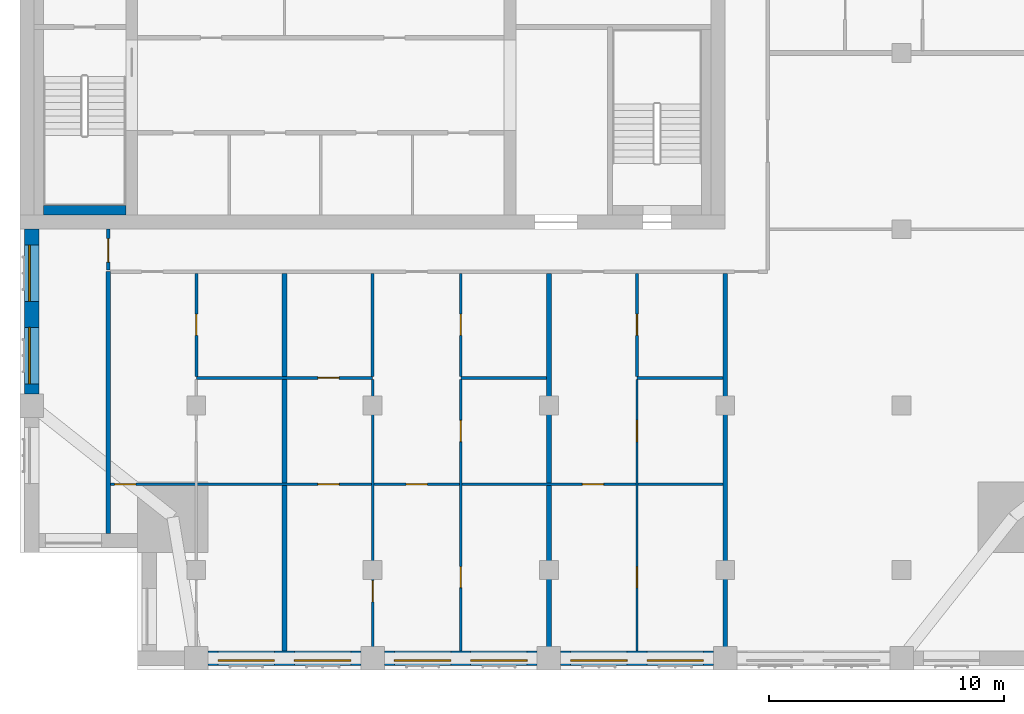
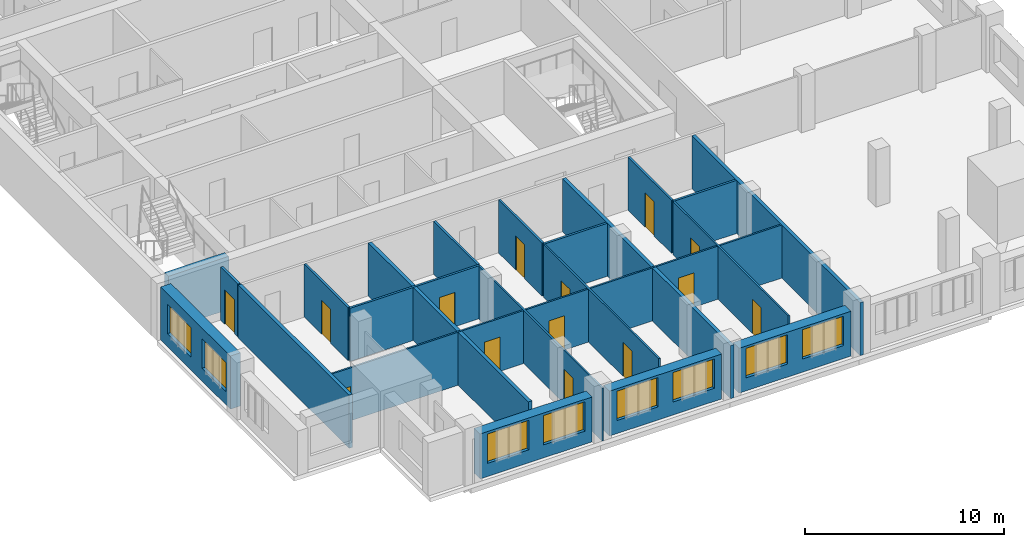
# One storey, part 3 of 11: 21 walls, 14 doors, 8 windows, 22 openings.
"""IFC4 building model written with IfcOpenShell, lengths in metres."""

from ifc_helpers import new_model, si_unit, direction, frame, frame_2d, origin, place, context, subcontext, project, spatial, rectangle, extrude, material, layer, layer_set, type_object, element, fill, save


model = new_model("IFC4")

# Units and contexts
model_context = context("Model", 3, precision=1e-05, world=origin(), true_north=direction((0.0, 1.0)))
body_context = subcontext(model_context, "Body", "Model", "MODEL_VIEW")
ifc_project = project(units=[si_unit("LENGTHUNIT", "METRE"), si_unit("AREAUNIT", "SQUARE_METRE"), si_unit("VOLUMEUNIT", "CUBIC_METRE"), si_unit("PLANEANGLEUNIT", "RADIAN"), si_unit("MASSUNIT", "GRAM", prefix="KILO")], contexts=[model_context])

# Site, building, storey
site_placement = place(None, origin())
site = spatial("IfcSite", under=ifc_project, at=site_placement, CompositionType="ELEMENT")
building_placement = place(site_placement, origin())
building = spatial("IfcBuilding", under=site, at=building_placement, Name="Tamorin Gate", CompositionType="ELEMENT")
storey_placement = place(building_placement, frame((0.0, 0.0, 230.199951171875)))
storey = spatial("IfcBuildingStorey", under=building, at=storey_placement, Name="L57", CompositionType="ELEMENT", Elevation=230.199951171875)

# Wall, openings, windows
ifc_material_1 = material(Name="Precast concrete C40/50", Category="concrete")
ifc_layer_1 = layer(ifc_material_1, 0.60009765625)
ifc_layer_set_1 = layer_set([ifc_layer_1], Name="Precast concrete C40/50")
wall_type_1 = type_object("IfcWallType", Name="Board-marked concrete facade panel 600", PredefinedType="SOLIDWALL", material=ifc_layer_set_1)
wall_1_placement = place(storey_placement, frame((38.0, 41.75, 0.0), z_axis=(0.0, 0.0, 1.0), x_axis=(1.0, 0.0, 0.0)))
wall_1 = element("IfcWall", 1, at=wall_1_placement, inside=storey, type_object=wall_type_1, Name="Facade panel", PredefinedType="SOLIDWALL", context=body_context, shape_type="SweptSolid", body=[
    extrude(rectangle(XDim=6.5, YDim=0.60009765625, at=frame_2d((3.25, 0.0))), origin(), (0.0, 0.0, 1.0), 2.75),
])
opening_1_placement = place(wall_1_placement, frame((0.425048828125, 0.0, 0.800048828125)))
opening_1 = element("IfcOpeningElement", 2, at=opening_1_placement, cuts=wall_1, Name="Opening WN1", PredefinedType="OPENING", context=body_context, shape_type="SweptSolid", body=[
    extrude(rectangle(XDim=2.39990234375, YDim=1.800048828125, at=frame_2d((1.199951171875, 0.89990234375))), frame((0.0, 0.31005859375, 0.0), z_axis=(0.0, -1.0, 0.0), x_axis=(1.0, 0.0, 0.0)), (0.0, 0.0, 1.0), 0.6201171875),
])
opening_2_placement = place(wall_1_placement, frame((3.675048828125, 0.0, 0.800048828125)))
opening_2 = element("IfcOpeningElement", 3, at=opening_2_placement, cuts=wall_1, Name="Opening WN1", PredefinedType="OPENING", context=body_context, shape_type="SweptSolid", body=[
    extrude(rectangle(XDim=2.39990234375, YDim=1.800048828125, at=frame_2d((1.199951171875, 0.89990234375))), frame((0.0, 0.31005859375, 0.0), z_axis=(0.0, -1.0, 0.0), x_axis=(1.0, 0.0, 0.0)), (0.0, 0.0, 1.0), 0.6201171875),
])
ifc_material_2 = material(Name="Clear glass in aluminium frame", Category="aluminium")
window_type = type_object("IfcWindowType", Name="Deep-set window 2400x1800", PartitioningType="SINGLE_PANEL", PredefinedType="WINDOW", material=ifc_material_2)
window_1_placement = place(opening_1_placement, origin())
window_1 = element("IfcWindow", 4, at=window_1_placement, inside=storey, type_object=window_type, Name="Deep-set window", OverallHeight=1.800048828125, OverallWidth=2.39990234375, PartitioningType="SINGLE_PANEL", PredefinedType="WINDOW", context=body_context, shape_type="SweptSolid", body=[
    extrude(rectangle(XDim=2.39990234375, YDim=1.800048828125, at=frame_2d((1.199951171875, 0.89990234375))), frame((0.0, -0.070068359375, 0.0), z_axis=(0.0, -1.0, 0.0), x_axis=(1.0, 0.0, 0.0)), (0.0, 0.0, 1.0), 0.06005859375),
])
fill(opening_1, window_1)
window_2_placement = place(opening_2_placement, origin())
window_2 = element("IfcWindow", 5, at=window_2_placement, inside=storey, type_object=window_type, Name="Deep-set window", OverallHeight=1.800048828125, OverallWidth=2.39990234375, PartitioningType="SINGLE_PANEL", PredefinedType="WINDOW", context=body_context, shape_type="SweptSolid", body=[
    extrude(rectangle(XDim=2.39990234375, YDim=1.800048828125, at=frame_2d((1.199951171875, 0.89990234375))), frame((0.0, -0.070068359375, 0.0), z_axis=(0.0, -1.0, 0.0), x_axis=(1.0, 0.0, 0.0)), (0.0, 0.0, 1.0), 0.06005859375),
])
fill(opening_2, window_2)

wall_2_placement = place(storey_placement, frame((45.5, 41.75, 0.0), z_axis=(0.0, 0.0, 1.0), x_axis=(1.0, 0.0, 0.0)))
wall_2 = element("IfcWall", 6, at=wall_2_placement, inside=storey, type_object=wall_type_1, Name="Facade panel", PredefinedType="SOLIDWALL", context=body_context, shape_type="SweptSolid", body=[
    extrude(rectangle(XDim=6.5, YDim=0.60009765625, at=frame_2d((3.25, 0.0))), origin(), (0.0, 0.0, 1.0), 2.75),
])
opening_3_placement = place(wall_2_placement, frame((0.425048828125, 0.0, 0.800048828125)))
opening_3 = element("IfcOpeningElement", 7, at=opening_3_placement, cuts=wall_2, Name="Opening WN1", PredefinedType="OPENING", context=body_context, shape_type="SweptSolid", body=[
    extrude(rectangle(XDim=2.39990234375, YDim=1.800048828125, at=frame_2d((1.199951171875, 0.89990234375))), frame((0.0, 0.31005859375, 0.0), z_axis=(0.0, -1.0, 0.0), x_axis=(1.0, 0.0, 0.0)), (0.0, 0.0, 1.0), 0.6201171875),
])
opening_4_placement = place(wall_2_placement, frame((3.675048828125, 0.0, 0.800048828125)))
opening_4 = element("IfcOpeningElement", 8, at=opening_4_placement, cuts=wall_2, Name="Opening WN1", PredefinedType="OPENING", context=body_context, shape_type="SweptSolid", body=[
    extrude(rectangle(XDim=2.39990234375, YDim=1.800048828125, at=frame_2d((1.199951171875, 0.89990234375))), frame((0.0, 0.31005859375, 0.0), z_axis=(0.0, -1.0, 0.0), x_axis=(1.0, 0.0, 0.0)), (0.0, 0.0, 1.0), 0.6201171875),
])
window_3_placement = place(opening_3_placement, origin())
window_3 = element("IfcWindow", 9, at=window_3_placement, inside=storey, type_object=window_type, Name="Deep-set window", OverallHeight=1.800048828125, OverallWidth=2.39990234375, PartitioningType="SINGLE_PANEL", PredefinedType="WINDOW", context=body_context, shape_type="SweptSolid", body=[
    extrude(rectangle(XDim=2.39990234375, YDim=1.800048828125, at=frame_2d((1.199951171875, 0.89990234375))), frame((0.0, -0.070068359375, 0.0), z_axis=(0.0, -1.0, 0.0), x_axis=(1.0, 0.0, 0.0)), (0.0, 0.0, 1.0), 0.06005859375),
])
fill(opening_3, window_3)
window_4_placement = place(opening_4_placement, origin())
window_4 = element("IfcWindow", 10, at=window_4_placement, inside=storey, type_object=window_type, Name="Deep-set window", OverallHeight=1.800048828125, OverallWidth=2.39990234375, PartitioningType="SINGLE_PANEL", PredefinedType="WINDOW", context=body_context, shape_type="SweptSolid", body=[
    extrude(rectangle(XDim=2.39990234375, YDim=1.800048828125, at=frame_2d((1.199951171875, 0.89990234375))), frame((0.0, -0.070068359375, 0.0), z_axis=(0.0, -1.0, 0.0), x_axis=(1.0, 0.0, 0.0)), (0.0, 0.0, 1.0), 0.06005859375),
])
fill(opening_4, window_4)

wall_3_placement = place(storey_placement, frame((53.0, 41.75, 0.0), z_axis=(0.0, 0.0, 1.0), x_axis=(1.0, 0.0, 0.0)))
wall_3 = element("IfcWall", 11, at=wall_3_placement, inside=storey, type_object=wall_type_1, Name="Facade panel", PredefinedType="SOLIDWALL", context=body_context, shape_type="SweptSolid", body=[
    extrude(rectangle(XDim=6.5, YDim=0.60009765625, at=frame_2d((3.25, 0.0))), origin(), (0.0, 0.0, 1.0), 2.75),
])
opening_5_placement = place(wall_3_placement, frame((0.425048828125, 0.0, 0.800048828125)))
opening_5 = element("IfcOpeningElement", 12, at=opening_5_placement, cuts=wall_3, Name="Opening WN1", PredefinedType="OPENING", context=body_context, shape_type="SweptSolid", body=[
    extrude(rectangle(XDim=2.39990234375, YDim=1.800048828125, at=frame_2d((1.199951171875, 0.89990234375))), frame((0.0, 0.31005859375, 0.0), z_axis=(0.0, -1.0, 0.0), x_axis=(1.0, 0.0, 0.0)), (0.0, 0.0, 1.0), 0.6201171875),
])
opening_6_placement = place(wall_3_placement, frame((3.675048828125, 0.0, 0.800048828125)))
opening_6 = element("IfcOpeningElement", 13, at=opening_6_placement, cuts=wall_3, Name="Opening WN1", PredefinedType="OPENING", context=body_context, shape_type="SweptSolid", body=[
    extrude(rectangle(XDim=2.39990234375, YDim=1.800048828125, at=frame_2d((1.199951171875, 0.89990234375))), frame((0.0, 0.31005859375, 0.0), z_axis=(0.0, -1.0, 0.0), x_axis=(1.0, 0.0, 0.0)), (0.0, 0.0, 1.0), 0.6201171875),
])
window_5_placement = place(opening_5_placement, origin())
window_5 = element("IfcWindow", 14, at=window_5_placement, inside=storey, type_object=window_type, Name="Deep-set window", OverallHeight=1.800048828125, OverallWidth=2.39990234375, PartitioningType="SINGLE_PANEL", PredefinedType="WINDOW", context=body_context, shape_type="SweptSolid", body=[
    extrude(rectangle(XDim=2.39990234375, YDim=1.800048828125, at=frame_2d((1.199951171875, 0.89990234375))), frame((0.0, -0.070068359375, 0.0), z_axis=(0.0, -1.0, 0.0), x_axis=(1.0, 0.0, 0.0)), (0.0, 0.0, 1.0), 0.06005859375),
])
fill(opening_5, window_5)
window_6_placement = place(opening_6_placement, origin())
window_6 = element("IfcWindow", 15, at=window_6_placement, inside=storey, type_object=window_type, Name="Deep-set window", OverallHeight=1.800048828125, OverallWidth=2.39990234375, PartitioningType="SINGLE_PANEL", PredefinedType="WINDOW", context=body_context, shape_type="SweptSolid", body=[
    extrude(rectangle(XDim=2.39990234375, YDim=1.800048828125, at=frame_2d((1.199951171875, 0.89990234375))), frame((0.0, -0.070068359375, 0.0), z_axis=(0.0, -1.0, 0.0), x_axis=(1.0, 0.0, 0.0)), (0.0, 0.0, 1.0), 0.06005859375),
])
fill(opening_6, window_6)

wall_4_placement = place(storey_placement, frame((30.5, 60.0, 0.0), z_axis=(0.0, 0.0, 1.0), x_axis=(0.0, -1.0, 0.0)))
wall_4 = element("IfcWall", 16, at=wall_4_placement, inside=storey, type_object=wall_type_1, Name="Facade panel", PredefinedType="SOLIDWALL", context=body_context, shape_type="SweptSolid", body=[
    extrude(rectangle(XDim=7.0, YDim=0.60009765625, at=frame_2d((3.5, 0.0))), origin(), (0.0, 0.0, 1.0), 3.25),
])
opening_7_placement = place(wall_4_placement, frame((4.175048828125, 0.0, 0.800048828125)))
opening_7 = element("IfcOpeningElement", 17, at=opening_7_placement, cuts=wall_4, Name="Opening WN1", PredefinedType="OPENING", context=body_context, shape_type="SweptSolid", body=[
    extrude(rectangle(XDim=2.39990234375, YDim=1.800048828125, at=frame_2d((1.199951171875, 0.89990234375))), frame((0.0, 0.31005859375, 0.0), z_axis=(0.0, -1.0, 0.0), x_axis=(1.0, 0.0, 0.0)), (0.0, 0.0, 1.0), 0.6201171875),
])
opening_8_placement = place(wall_4_placement, frame((0.675048828125, 0.0, 0.800048828125)))
opening_8 = element("IfcOpeningElement", 18, at=opening_8_placement, cuts=wall_4, Name="Opening WN1", PredefinedType="OPENING", context=body_context, shape_type="SweptSolid", body=[
    extrude(rectangle(XDim=2.39990234375, YDim=1.800048828125, at=frame_2d((1.199951171875, 0.89990234375))), frame((0.0, 0.31005859375, 0.0), z_axis=(0.0, -1.0, 0.0), x_axis=(1.0, 0.0, 0.0)), (0.0, 0.0, 1.0), 0.6201171875),
])
window_7_placement = place(opening_7_placement, origin())
window_7 = element("IfcWindow", 19, at=window_7_placement, inside=storey, type_object=window_type, Name="Deep-set window", OverallHeight=1.800048828125, OverallWidth=2.39990234375, PartitioningType="SINGLE_PANEL", PredefinedType="WINDOW", context=body_context, shape_type="SweptSolid", body=[
    extrude(rectangle(XDim=2.39990234375, YDim=1.800048828125, at=frame_2d((1.199951171875, 0.89990234375))), frame((0.0, -0.070068359375, 0.0), z_axis=(0.0, -1.0, 0.0), x_axis=(1.0, 0.0, 0.0)), (0.0, 0.0, 1.0), 0.06005859375),
])
fill(opening_7, window_7)
window_8_placement = place(opening_8_placement, origin())
window_8 = element("IfcWindow", 20, at=window_8_placement, inside=storey, type_object=window_type, Name="Deep-set window", OverallHeight=1.800048828125, OverallWidth=2.39990234375, PartitioningType="SINGLE_PANEL", PredefinedType="WINDOW", context=body_context, shape_type="SweptSolid", body=[
    extrude(rectangle(XDim=2.39990234375, YDim=1.800048828125, at=frame_2d((1.199951171875, 0.89990234375))), frame((0.0, -0.070068359375, 0.0), z_axis=(0.0, -1.0, 0.0), x_axis=(1.0, 0.0, 0.0)), (0.0, 0.0, 1.0), 0.06005859375),
])
fill(opening_8, window_8)

# Wall, opening, door
ifc_material_3 = material(Name="Gypsum board partition")
ifc_layer_2 = layer(ifc_material_3, 0.14990234375)
ifc_layer_set_2 = layer_set([ifc_layer_2], Name="Corridor wall 150")
wall_type_2 = type_object("IfcWallType", Name="Corridor wall 150", PredefinedType="PARTITIONING", material=ifc_layer_set_2)
wall_5_placement = place(storey_placement, frame((33.75, 58.27490234375, 0.0), z_axis=(0.0, 0.0, 1.0), x_axis=(0.0, 1.0, 0.0)))
wall_5 = element("IfcWall", 21, at=wall_5_placement, inside=storey, type_object=wall_type_2, Name="Corridor wall 150", PredefinedType="PARTITIONING", context=body_context, shape_type="SweptSolid", body=[
    extrude(rectangle(XDim=1.72509765625, YDim=0.14990234375, at=frame_2d((0.862548828125, 0.0))), origin(), (0.0, 0.0, 1.0), 3.25),
])
opening_9_placement = place(wall_5_placement, frame((0.324951171875, 0.0, 0.0)))
opening_9 = element("IfcOpeningElement", 22, at=opening_9_placement, cuts=wall_5, Name="Opening DR7001", PredefinedType="OPENING", context=body_context, shape_type="SweptSolid", body=[
    extrude(rectangle(XDim=1.0, YDim=2.10009765625, at=frame_2d((0.5, 1.050048828125))), frame((0.0, 0.0849609375, 0.0), z_axis=(0.0, -1.0, 0.0), x_axis=(1.0, 0.0, 0.0)), (0.0, 0.0, 1.0), 0.169921875),
])
ifc_material_4 = material(Name="Timber door leaf", Category="wood")
door_type_1 = type_object("IfcDoorType", Name="Door 1000 x 2100 FD30S", OperationType="NOTDEFINED", PredefinedType="DOOR", material=ifc_material_4)
door_1_placement = place(opening_9_placement, origin())
door_1 = element("IfcDoor", 23, at=door_1_placement, inside=storey, type_object=door_type_1, Name="Door DR7001", OperationType="SINGLE_SWING_RIGHT", OverallHeight=2.10009765625, OverallWidth=1.0, PredefinedType="DOOR", context=body_context, shape_type="SweptSolid", body=[
    extrude(rectangle(XDim=1.0, YDim=2.10009765625, at=frame_2d((0.5, 1.050048828125))), frame((0.0, 0.02490234375, 0.0), z_axis=(0.0, -1.0, 0.0), x_axis=(1.0, 0.0, 0.0)), (0.0, 0.0, 1.0), 0.050048828125),
])
fill(opening_9, door_1)

# Walls
ifc_layer_3 = layer(ifc_material_3, 0.199951171875)
ifc_layer_set_3 = layer_set([ifc_layer_3], Name="Demising wall 200")
wall_type_3 = type_object("IfcWallType", Name="Demising wall 200", PredefinedType="PARTITIONING", material=ifc_layer_set_3)
wall_6_placement = place(storey_placement, frame((33.75, 47.06005859375, 0.0), z_axis=(0.0, 0.0, 1.0), x_axis=(0.0, 1.0, 0.0)))
element("IfcWall", 24, at=wall_6_placement, inside=storey, type_object=wall_type_3, Name="Demising wall 200", PredefinedType="PARTITIONING", context=body_context, shape_type="SweptSolid", body=[
    extrude(rectangle(XDim=11.139892578125, YDim=0.199951171875, at=frame_2d((5.56982421875, 0.0))), origin(), (0.0, 0.0, 1.0), 3.25),
])
wall_7_placement = place(storey_placement, frame((41.25, 42.06005859375, 0.0), z_axis=(0.0, 0.0, 1.0), x_axis=(0.0, 1.0, 0.0)))
element("IfcWall", 25, at=wall_7_placement, inside=storey, type_object=wall_type_3, Name="Demising wall 200", PredefinedType="PARTITIONING", context=body_context, shape_type="SweptSolid", body=[
    extrude(rectangle(XDim=16.06494140625, YDim=0.199951171875, at=frame_2d((8.032470703125, 0.0))), origin(), (0.0, 0.0, 1.0), 3.25),
])
for number, where, z_axis, x_axis, name in (
    (26, (52.5, 41.25, 0.0), (0.0, 0.0, 1.0), (0.0, 1.0, 0.0), "Demising wall 200"),
    (27, (60.0, 41.25, 0.0), (0.0, 0.0, 1.0), (0.0, 1.0, 0.0), "Demising wall 200"),
):
    element("IfcWall", number, at=place(storey_placement, frame(where, z_axis=z_axis, x_axis=x_axis)), inside=storey, type_object=wall_type_3, Name=name, PredefinedType="PARTITIONING", context=body_context, shape_type="SweptSolid", body=[
        extrude(rectangle(XDim=16.875, YDim=0.199951171875, at=frame_2d((8.4375, 0.0))), origin(), (0.0, 0.0, 1.0), 3.25),
    ])

# Wall, openings, doors
ifc_layer_4 = layer(ifc_material_3, 0.10009765625)
ifc_layer_set_4 = layer_set([ifc_layer_4], Name="Room partition 100")
wall_type_4 = type_object("IfcWallType", Name="Room partition 100", PredefinedType="PARTITIONING", material=ifc_layer_set_4)
wall_8_placement = place(storey_placement, frame((33.85009765625, 49.14990234375, 0.0), z_axis=(0.0, 0.0, 1.0), x_axis=(1.0, 0.0, 0.0)))
wall_8 = element("IfcWall", 28, at=wall_8_placement, inside=storey, type_object=wall_type_4, Name="Room partition 100", PredefinedType="PARTITIONING", context=body_context, shape_type="SweptSolid", body=[
    extrude(rectangle(XDim=26.0498046875, YDim=0.10009765625, at=frame_2d((13.02490234375, 0.0))), origin(), (0.0, 0.0, 1.0), 3.25),
])
opening_10_placement = place(wall_8_placement, frame((0.175048828125, 0.0, 0.0)))
opening_10 = element("IfcOpeningElement", 29, at=opening_10_placement, cuts=wall_8, Name="Opening DR7003", PredefinedType="OPENING", context=body_context, shape_type="SweptSolid", body=[
    extrude(rectangle(XDim=0.89990234375, YDim=2.10009765625, at=frame_2d((0.449951171875, 1.050048828125))), frame((0.0, 0.06005859375, 0.0), z_axis=(0.0, -1.0, 0.0), x_axis=(1.0, 0.0, 0.0)), (0.0, 0.0, 1.0), 0.1201171875),
])
opening_11_placement = place(wall_8_placement, frame((8.824951171875, 0.0, 0.0)))
opening_11 = element("IfcOpeningElement", 30, at=opening_11_placement, cuts=wall_8, Name="Opening DR7007", PredefinedType="OPENING", context=body_context, shape_type="SweptSolid", body=[
    extrude(rectangle(XDim=0.89990234375, YDim=2.10009765625, at=frame_2d((0.449951171875, 1.050048828125))), frame((0.0, 0.06005859375, 0.0), z_axis=(0.0, -1.0, 0.0), x_axis=(1.0, 0.0, 0.0)), (0.0, 0.0, 1.0), 0.1201171875),
])
opening_12_placement = place(wall_8_placement, frame((12.574951171875, 0.0, 0.0)))
opening_12 = element("IfcOpeningElement", 31, at=opening_12_placement, cuts=wall_8, Name="Opening DR7010", PredefinedType="OPENING", context=body_context, shape_type="SweptSolid", body=[
    extrude(rectangle(XDim=0.89990234375, YDim=2.10009765625, at=frame_2d((0.449951171875, 1.050048828125))), frame((0.0, 0.06005859375, 0.0), z_axis=(0.0, -1.0, 0.0), x_axis=(1.0, 0.0, 0.0)), (0.0, 0.0, 1.0), 0.1201171875),
])
opening_13_placement = place(wall_8_placement, frame((20.074951171875, 0.0, 0.0)))
opening_13 = element("IfcOpeningElement", 32, at=opening_13_placement, cuts=wall_8, Name="Opening DR7016", PredefinedType="OPENING", context=body_context, shape_type="SweptSolid", body=[
    extrude(rectangle(XDim=0.89990234375, YDim=2.10009765625, at=frame_2d((0.449951171875, 1.050048828125))), frame((0.0, 0.06005859375, 0.0), z_axis=(0.0, -1.0, 0.0), x_axis=(1.0, 0.0, 0.0)), (0.0, 0.0, 1.0), 0.1201171875),
])
door_type_2 = type_object("IfcDoorType", Name="Door 900 x 2100", OperationType="NOTDEFINED", PredefinedType="DOOR", material=ifc_material_4)
door_2_placement = place(opening_10_placement, origin())
door_2 = element("IfcDoor", 33, at=door_2_placement, inside=storey, type_object=door_type_2, Name="Door DR7003", OperationType="SINGLE_SWING_LEFT", OverallHeight=2.10009765625, OverallWidth=0.89990234375, PredefinedType="DOOR", context=body_context, shape_type="SweptSolid", body=[
    extrude(rectangle(XDim=0.89990234375, YDim=2.10009765625, at=frame_2d((0.449951171875, 1.050048828125))), frame((0.0, 0.02490234375, 0.0), z_axis=(0.0, -1.0, 0.0), x_axis=(1.0, 0.0, 0.0)), (0.0, 0.0, 1.0), 0.050048828125),
])
fill(opening_10, door_2)
door_3_placement = place(opening_11_placement, origin())
door_3 = element("IfcDoor", 34, at=door_3_placement, inside=storey, type_object=door_type_2, Name="Door DR7007", OperationType="SINGLE_SWING_LEFT", OverallHeight=2.10009765625, OverallWidth=0.89990234375, PredefinedType="DOOR", context=body_context, shape_type="SweptSolid", body=[
    extrude(rectangle(XDim=0.89990234375, YDim=2.10009765625, at=frame_2d((0.449951171875, 1.050048828125))), frame((0.0, 0.02490234375, 0.0), z_axis=(0.0, -1.0, 0.0), x_axis=(1.0, 0.0, 0.0)), (0.0, 0.0, 1.0), 0.050048828125),
])
fill(opening_11, door_3)
door_4_placement = place(opening_12_placement, origin())
door_4 = element("IfcDoor", 35, at=door_4_placement, inside=storey, type_object=door_type_2, Name="Door DR7010", OperationType="SINGLE_SWING_LEFT", OverallHeight=2.10009765625, OverallWidth=0.89990234375, PredefinedType="DOOR", context=body_context, shape_type="SweptSolid", body=[
    extrude(rectangle(XDim=0.89990234375, YDim=2.10009765625, at=frame_2d((0.449951171875, 1.050048828125))), frame((0.0, 0.02490234375, 0.0), z_axis=(0.0, -1.0, 0.0), x_axis=(1.0, 0.0, 0.0)), (0.0, 0.0, 1.0), 0.050048828125),
])
fill(opening_12, door_4)
door_5_placement = place(opening_13_placement, origin())
door_5 = element("IfcDoor", 36, at=door_5_placement, inside=storey, type_object=door_type_2, Name="Door DR7016", OperationType="SINGLE_SWING_LEFT", OverallHeight=2.10009765625, OverallWidth=0.89990234375, PredefinedType="DOOR", context=body_context, shape_type="SweptSolid", body=[
    extrude(rectangle(XDim=0.89990234375, YDim=2.10009765625, at=frame_2d((0.449951171875, 1.050048828125))), frame((0.0, 0.02490234375, 0.0), z_axis=(0.0, -1.0, 0.0), x_axis=(1.0, 0.0, 0.0)), (0.0, 0.0, 1.0), 0.050048828125),
])
fill(opening_13, door_5)

# Wall, opening, door
wall_9_placement = place(storey_placement, frame((45.0, 41.25, 0.0), z_axis=(0.0, 0.0, 1.0), x_axis=(0.0, 1.0, 0.0)))
wall_9 = element("IfcWall", 37, at=wall_9_placement, inside=storey, type_object=wall_type_4, Name="Room partition 100", PredefinedType="PARTITIONING", context=body_context, shape_type="SweptSolid", body=[
    extrude(rectangle(XDim=12.362548828125, YDim=0.10009765625, at=frame_2d((6.18115234375, 0.0))), origin(), (0.0, 0.0, 1.0), 3.25),
])
opening_14_placement = place(wall_9_placement, frame((2.89990234375, 0.0, 0.0)))
opening_14 = element("IfcOpeningElement", 38, at=opening_14_placement, cuts=wall_9, Name="Opening DR7013", PredefinedType="OPENING", context=body_context, shape_type="SweptSolid", body=[
    extrude(rectangle(XDim=0.89990234375, YDim=2.10009765625, at=frame_2d((0.449951171875, 1.050048828125))), frame((0.0, 0.06005859375, 0.0), z_axis=(0.0, -1.0, 0.0), x_axis=(1.0, 0.0, 0.0)), (0.0, 0.0, 1.0), 0.1201171875),
])
door_6_placement = place(opening_14_placement, origin())
door_6 = element("IfcDoor", 39, at=door_6_placement, inside=storey, type_object=door_type_2, Name="Door DR7013", OperationType="SINGLE_SWING_LEFT", OverallHeight=2.10009765625, OverallWidth=0.89990234375, PredefinedType="DOOR", context=body_context, shape_type="SweptSolid", body=[
    extrude(rectangle(XDim=0.89990234375, YDim=2.10009765625, at=frame_2d((0.449951171875, 1.050048828125))), frame((0.0, 0.02490234375, 0.0), z_axis=(0.0, -1.0, 0.0), x_axis=(1.0, 0.0, 0.0)), (0.0, 0.0, 1.0), 0.050048828125),
])
fill(opening_14, door_6)

# Wall, openings, doors
wall_10_placement = place(storey_placement, frame((48.75, 42.06005859375, 0.0), z_axis=(0.0, 0.0, 1.0), x_axis=(0.0, 1.0, 0.0)))
wall_10 = element("IfcWall", 40, at=wall_10_placement, inside=storey, type_object=wall_type_4, Name="Room partition 100", PredefinedType="PARTITIONING", context=body_context, shape_type="SweptSolid", body=[
    extrude(rectangle(XDim=11.552490234375, YDim=0.10009765625, at=frame_2d((5.7763671875, 0.0))), origin(), (0.0, 0.0, 1.0), 3.25),
])
opening_15_placement = place(wall_10_placement, frame((8.902587890625, 0.0, 0.0)))
opening_15 = element("IfcOpeningElement", 41, at=opening_15_placement, cuts=wall_10, Name="Opening DR7011", PredefinedType="OPENING", context=body_context, shape_type="SweptSolid", body=[
    extrude(rectangle(XDim=0.89990234375, YDim=2.10009765625, at=frame_2d((0.449951171875, 1.050048828125))), frame((0.0, 0.06005859375, 0.0), z_axis=(0.0, -1.0, 0.0), x_axis=(1.0, 0.0, 0.0)), (0.0, 0.0, 1.0), 0.1201171875),
])
opening_16_placement = place(wall_10_placement, frame((2.68994140625, 0.0, 0.0)))
opening_16 = element("IfcOpeningElement", 42, at=opening_16_placement, cuts=wall_10, Name="Opening DR7014", PredefinedType="OPENING", context=body_context, shape_type="SweptSolid", body=[
    extrude(rectangle(XDim=0.89990234375, YDim=2.10009765625, at=frame_2d((0.449951171875, 1.050048828125))), frame((0.0, 0.06005859375, 0.0), z_axis=(0.0, -1.0, 0.0), x_axis=(1.0, 0.0, 0.0)), (0.0, 0.0, 1.0), 0.1201171875),
])
door_7_placement = place(opening_15_placement, origin())
door_7 = element("IfcDoor", 43, at=door_7_placement, inside=storey, type_object=door_type_2, Name="Door DR7011", OperationType="SINGLE_SWING_LEFT", OverallHeight=2.10009765625, OverallWidth=0.89990234375, PredefinedType="DOOR", context=body_context, shape_type="SweptSolid", body=[
    extrude(rectangle(XDim=0.89990234375, YDim=2.10009765625, at=frame_2d((0.449951171875, 1.050048828125))), frame((0.0, 0.02490234375, 0.0), z_axis=(0.0, -1.0, 0.0), x_axis=(1.0, 0.0, 0.0)), (0.0, 0.0, 1.0), 0.050048828125),
])
fill(opening_15, door_7)
door_8_placement = place(opening_16_placement, origin())
door_8 = element("IfcDoor", 44, at=door_8_placement, inside=storey, type_object=door_type_2, Name="Door DR7014", OperationType="SINGLE_SWING_LEFT", OverallHeight=2.10009765625, OverallWidth=0.89990234375, PredefinedType="DOOR", context=body_context, shape_type="SweptSolid", body=[
    extrude(rectangle(XDim=0.89990234375, YDim=2.10009765625, at=frame_2d((0.449951171875, 1.050048828125))), frame((0.0, 0.02490234375, 0.0), z_axis=(0.0, -1.0, 0.0), x_axis=(1.0, 0.0, 0.0)), (0.0, 0.0, 1.0), 0.050048828125),
])
fill(opening_16, door_8)

wall_11_placement = place(storey_placement, frame((56.25, 42.06005859375, 0.0), z_axis=(0.0, 0.0, 1.0), x_axis=(0.0, 1.0, 0.0)))
wall_11 = element("IfcWall", 45, at=wall_11_placement, inside=storey, type_object=wall_type_4, Name="Room partition 100", PredefinedType="PARTITIONING", context=body_context, shape_type="SweptSolid", body=[
    extrude(rectangle(XDim=11.552490234375, YDim=0.10009765625, at=frame_2d((5.7763671875, 0.0))), origin(), (0.0, 0.0, 1.0), 3.25),
])
opening_17_placement = place(wall_11_placement, frame((8.902587890625, 0.0, 0.0)))
opening_17 = element("IfcOpeningElement", 46, at=opening_17_placement, cuts=wall_11, Name="Opening DR7017", PredefinedType="OPENING", context=body_context, shape_type="SweptSolid", body=[
    extrude(rectangle(XDim=0.89990234375, YDim=2.10009765625, at=frame_2d((0.449951171875, 1.050048828125))), frame((0.0, 0.06005859375, 0.0), z_axis=(0.0, -1.0, 0.0), x_axis=(1.0, 0.0, 0.0)), (0.0, 0.0, 1.0), 0.1201171875),
])
opening_18_placement = place(wall_11_placement, frame((2.68994140625, 0.0, 0.0)))
opening_18 = element("IfcOpeningElement", 47, at=opening_18_placement, cuts=wall_11, Name="Opening DR7019", PredefinedType="OPENING", context=body_context, shape_type="SweptSolid", body=[
    extrude(rectangle(XDim=0.89990234375, YDim=2.10009765625, at=frame_2d((0.449951171875, 1.050048828125))), frame((0.0, 0.06005859375, 0.0), z_axis=(0.0, -1.0, 0.0), x_axis=(1.0, 0.0, 0.0)), (0.0, 0.0, 1.0), 0.1201171875),
])
door_9_placement = place(opening_17_placement, origin())
door_9 = element("IfcDoor", 48, at=door_9_placement, inside=storey, type_object=door_type_2, Name="Door DR7017", OperationType="SINGLE_SWING_LEFT", OverallHeight=2.10009765625, OverallWidth=0.89990234375, PredefinedType="DOOR", context=body_context, shape_type="SweptSolid", body=[
    extrude(rectangle(XDim=0.89990234375, YDim=2.10009765625, at=frame_2d((0.449951171875, 1.050048828125))), frame((0.0, 0.02490234375, 0.0), z_axis=(0.0, -1.0, 0.0), x_axis=(1.0, 0.0, 0.0)), (0.0, 0.0, 1.0), 0.050048828125),
])
fill(opening_17, door_9)
door_10_placement = place(opening_18_placement, origin())
door_10 = element("IfcDoor", 49, at=door_10_placement, inside=storey, type_object=door_type_2, Name="Door DR7019", OperationType="SINGLE_SWING_LEFT", OverallHeight=2.10009765625, OverallWidth=0.89990234375, PredefinedType="DOOR", context=body_context, shape_type="SweptSolid", body=[
    extrude(rectangle(XDim=0.89990234375, YDim=2.10009765625, at=frame_2d((0.449951171875, 1.050048828125))), frame((0.0, 0.02490234375, 0.0), z_axis=(0.0, -1.0, 0.0), x_axis=(1.0, 0.0, 0.0)), (0.0, 0.0, 1.0), 0.050048828125),
])
fill(opening_18, door_10)

# Wall
ifc_material_5 = material(Name="Concrete C50/60", Category="concrete")
ifc_layer_5 = layer(ifc_material_5, 0.39990234375)
ifc_layer_set_5 = layer_set([ifc_layer_5], Name="Stair lining wall 400 EI 120 C50/60")
wall_type_5 = type_object("IfcWallType", Name="Stair lining wall 400 EI 120 C50/60", PredefinedType="SOLIDWALL", material=ifc_layer_set_5)
wall_12_placement = place(storey_placement, frame((31.0, 60.800048828125, 0.0), z_axis=(0.0, 0.0, 1.0), x_axis=(1.0, 0.0, 0.0)))
element("IfcWall", 50, at=wall_12_placement, inside=storey, type_object=wall_type_5, Name="Stair lining wall", PredefinedType="SOLIDWALL", context=body_context, shape_type="SweptSolid", body=[
    extrude(rectangle(XDim=3.5, YDim=0.39990234375, at=frame_2d((1.75, 0.0))), origin(), (0.0, 0.0, 1.0), 3.25),
])

# Wall, opening, door
ifc_layer_6 = layer(ifc_material_3, 0.125)
ifc_layer_set_6 = layer_set([ifc_layer_6], Name="Wet wall 125")
wall_type_6 = type_object("IfcWallType", Name="Wet wall 125", PredefinedType="PARTITIONING", material=ifc_layer_set_6)
wall_13_placement = place(storey_placement, frame((37.5, 53.675048828125, 0.0), z_axis=(0.0, 0.0, 1.0), x_axis=(1.0, 0.0, 0.0)))
wall_13 = element("IfcWall", 51, at=wall_13_placement, inside=storey, type_object=wall_type_6, Name="Wet wall 125", PredefinedType="PARTITIONING", context=body_context, shape_type="SweptSolid", body=[
    extrude(rectangle(XDim=7.5, YDim=0.125, at=frame_2d((3.75, 0.0))), origin(), (0.0, 0.0, 1.0), 3.25),
])
opening_19_placement = place(wall_13_placement, frame((5.175048828125, 0.0, 0.0)))
opening_19 = element("IfcOpeningElement", 52, at=opening_19_placement, cuts=wall_13, Name="Opening DR7008", PredefinedType="OPENING", context=body_context, shape_type="SweptSolid", body=[
    extrude(rectangle(XDim=0.89990234375, YDim=2.10009765625, at=frame_2d((0.449951171875, 1.050048828125))), frame((0.0, 0.072509765625, 0.0), z_axis=(0.0, -1.0, 0.0), x_axis=(1.0, 0.0, 0.0)), (0.0, 0.0, 1.0), 0.14501953125),
])
door_11_placement = place(opening_19_placement, origin())
door_11 = element("IfcDoor", 53, at=door_11_placement, inside=storey, type_object=door_type_2, Name="Door DR7008", OperationType="SINGLE_SWING_LEFT", OverallHeight=2.10009765625, OverallWidth=0.89990234375, PredefinedType="DOOR", context=body_context, shape_type="SweptSolid", body=[
    extrude(rectangle(XDim=0.89990234375, YDim=2.10009765625, at=frame_2d((0.449951171875, 1.050048828125))), frame((0.0, 0.02490234375, 0.0), z_axis=(0.0, -1.0, 0.0), x_axis=(1.0, 0.0, 0.0)), (0.0, 0.0, 1.0), 0.050048828125),
])
fill(opening_19, door_11)

# Walls
for number, where, z_axis, x_axis, name in (
    (54, (48.75, 53.675048828125, 0.0), (0.0, 0.0, 1.0), (1.0, 0.0, 0.0), "Wet wall 125"),
    (55, (56.25, 53.675048828125, 0.0), (0.0, 0.0, 1.0), (1.0, 0.0, 0.0), "Wet wall 125"),
):
    element("IfcWall", number, at=place(storey_placement, frame(where, z_axis=z_axis, x_axis=x_axis)), inside=storey, type_object=wall_type_6, Name=name, PredefinedType="PARTITIONING", context=body_context, shape_type="SweptSolid", body=[
        extrude(rectangle(XDim=3.64990234375, YDim=0.125, at=frame_2d((1.824951171875, 0.0))), origin(), (0.0, 0.0, 1.0), 3.25),
    ])

# Wall, opening, door
wall_14_placement = place(storey_placement, frame((37.5, 53.737548828125, 0.0), z_axis=(0.0, 0.0, 1.0), x_axis=(0.0, 1.0, 0.0)))
wall_14 = element("IfcWall", 56, at=wall_14_placement, inside=storey, type_object=wall_type_6, Name="Wet wall 125", PredefinedType="PARTITIONING", context=body_context, shape_type="SweptSolid", body=[
    extrude(rectangle(XDim=4.387451171875, YDim=0.125, at=frame_2d((2.19384765625, 0.0))), origin(), (0.0, 0.0, 1.0), 3.25),
])
opening_20_placement = place(wall_14_placement, frame((1.75, 0.0, 0.0)))
opening_20 = element("IfcOpeningElement", 57, at=opening_20_placement, cuts=wall_14, Name="Opening DR7005", PredefinedType="OPENING", context=body_context, shape_type="SweptSolid", body=[
    extrude(rectangle(XDim=0.89990234375, YDim=2.10009765625, at=frame_2d((0.449951171875, 1.050048828125))), frame((0.0, 0.072509765625, 0.0), z_axis=(0.0, -1.0, 0.0), x_axis=(1.0, 0.0, 0.0)), (0.0, 0.0, 1.0), 0.14501953125),
])
door_12_placement = place(opening_20_placement, origin())
door_12 = element("IfcDoor", 58, at=door_12_placement, inside=storey, type_object=door_type_2, Name="Door DR7005", OperationType="SINGLE_SWING_RIGHT", OverallHeight=2.10009765625, OverallWidth=0.89990234375, PredefinedType="DOOR", context=body_context, shape_type="SweptSolid", body=[
    extrude(rectangle(XDim=0.89990234375, YDim=2.10009765625, at=frame_2d((0.449951171875, 1.050048828125))), frame((0.0, 0.02490234375, 0.0), z_axis=(0.0, -1.0, 0.0), x_axis=(1.0, 0.0, 0.0)), (0.0, 0.0, 1.0), 0.050048828125),
])
fill(opening_20, door_12)

# Wall
wall_15_placement = place(storey_placement, frame((45.0, 53.737548828125, 0.0), z_axis=(0.0, 0.0, 1.0), x_axis=(0.0, 1.0, 0.0)))
element("IfcWall", 59, at=wall_15_placement, inside=storey, type_object=wall_type_6, Name="Wet wall 125", PredefinedType="PARTITIONING", context=body_context, shape_type="SweptSolid", body=[
    extrude(rectangle(XDim=4.387451171875, YDim=0.125, at=frame_2d((2.19384765625, 0.0))), origin(), (0.0, 0.0, 1.0), 3.25),
])

# Wall, opening, door
wall_16_placement = place(storey_placement, frame((48.75, 53.737548828125, 0.0), z_axis=(0.0, 0.0, 1.0), x_axis=(0.0, 1.0, 0.0)))
wall_16 = element("IfcWall", 60, at=wall_16_placement, inside=storey, type_object=wall_type_6, Name="Wet wall 125", PredefinedType="PARTITIONING", context=body_context, shape_type="SweptSolid", body=[
    extrude(rectangle(XDim=4.387451171875, YDim=0.125, at=frame_2d((2.19384765625, 0.0))), origin(), (0.0, 0.0, 1.0), 3.25),
])
opening_21_placement = place(wall_16_placement, frame((1.75, 0.0, 0.0)))
opening_21 = element("IfcOpeningElement", 61, at=opening_21_placement, cuts=wall_16, Name="Opening DR7012", PredefinedType="OPENING", context=body_context, shape_type="SweptSolid", body=[
    extrude(rectangle(XDim=0.89990234375, YDim=2.10009765625, at=frame_2d((0.449951171875, 1.050048828125))), frame((0.0, 0.072509765625, 0.0), z_axis=(0.0, -1.0, 0.0), x_axis=(1.0, 0.0, 0.0)), (0.0, 0.0, 1.0), 0.14501953125),
])
door_13_placement = place(opening_21_placement, origin())
door_13 = element("IfcDoor", 62, at=door_13_placement, inside=storey, type_object=door_type_2, Name="Door DR7012", OperationType="SINGLE_SWING_RIGHT", OverallHeight=2.10009765625, OverallWidth=0.89990234375, PredefinedType="DOOR", context=body_context, shape_type="SweptSolid", body=[
    extrude(rectangle(XDim=0.89990234375, YDim=2.10009765625, at=frame_2d((0.449951171875, 1.050048828125))), frame((0.0, 0.02490234375, 0.0), z_axis=(0.0, -1.0, 0.0), x_axis=(1.0, 0.0, 0.0)), (0.0, 0.0, 1.0), 0.050048828125),
])
fill(opening_21, door_13)

wall_17_placement = place(storey_placement, frame((56.25, 53.737548828125, 0.0), z_axis=(0.0, 0.0, 1.0), x_axis=(0.0, 1.0, 0.0)))
wall_17 = element("IfcWall", 63, at=wall_17_placement, inside=storey, type_object=wall_type_6, Name="Wet wall 125", PredefinedType="PARTITIONING", context=body_context, shape_type="SweptSolid", body=[
    extrude(rectangle(XDim=4.387451171875, YDim=0.125, at=frame_2d((2.19384765625, 0.0))), origin(), (0.0, 0.0, 1.0), 3.25),
])
opening_22_placement = place(wall_17_placement, frame((1.75, 0.0, 0.0)))
opening_22 = element("IfcOpeningElement", 64, at=opening_22_placement, cuts=wall_17, Name="Opening DR7018", PredefinedType="OPENING", context=body_context, shape_type="SweptSolid", body=[
    extrude(rectangle(XDim=0.89990234375, YDim=2.10009765625, at=frame_2d((0.449951171875, 1.050048828125))), frame((0.0, 0.072509765625, 0.0), z_axis=(0.0, -1.0, 0.0), x_axis=(1.0, 0.0, 0.0)), (0.0, 0.0, 1.0), 0.14501953125),
])
door_14_placement = place(opening_22_placement, origin())
door_14 = element("IfcDoor", 65, at=door_14_placement, inside=storey, type_object=door_type_2, Name="Door DR7018", OperationType="SINGLE_SWING_RIGHT", OverallHeight=2.10009765625, OverallWidth=0.89990234375, PredefinedType="DOOR", context=body_context, shape_type="SweptSolid", body=[
    extrude(rectangle(XDim=0.89990234375, YDim=2.10009765625, at=frame_2d((0.449951171875, 1.050048828125))), frame((0.0, 0.02490234375, 0.0), z_axis=(0.0, -1.0, 0.0), x_axis=(1.0, 0.0, 0.0)), (0.0, 0.0, 1.0), 0.050048828125),
])
fill(opening_22, door_14)

save(model, "model.ifc")
